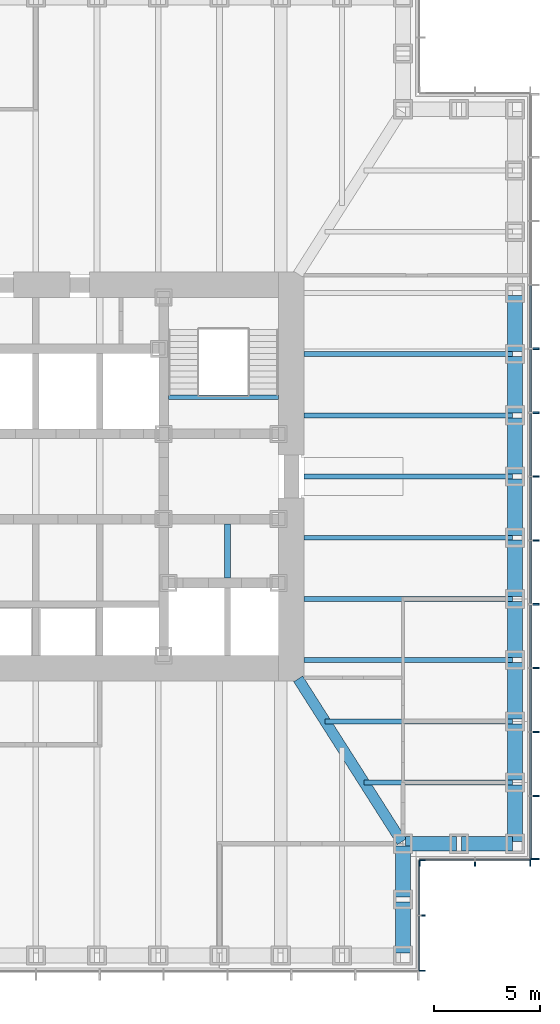
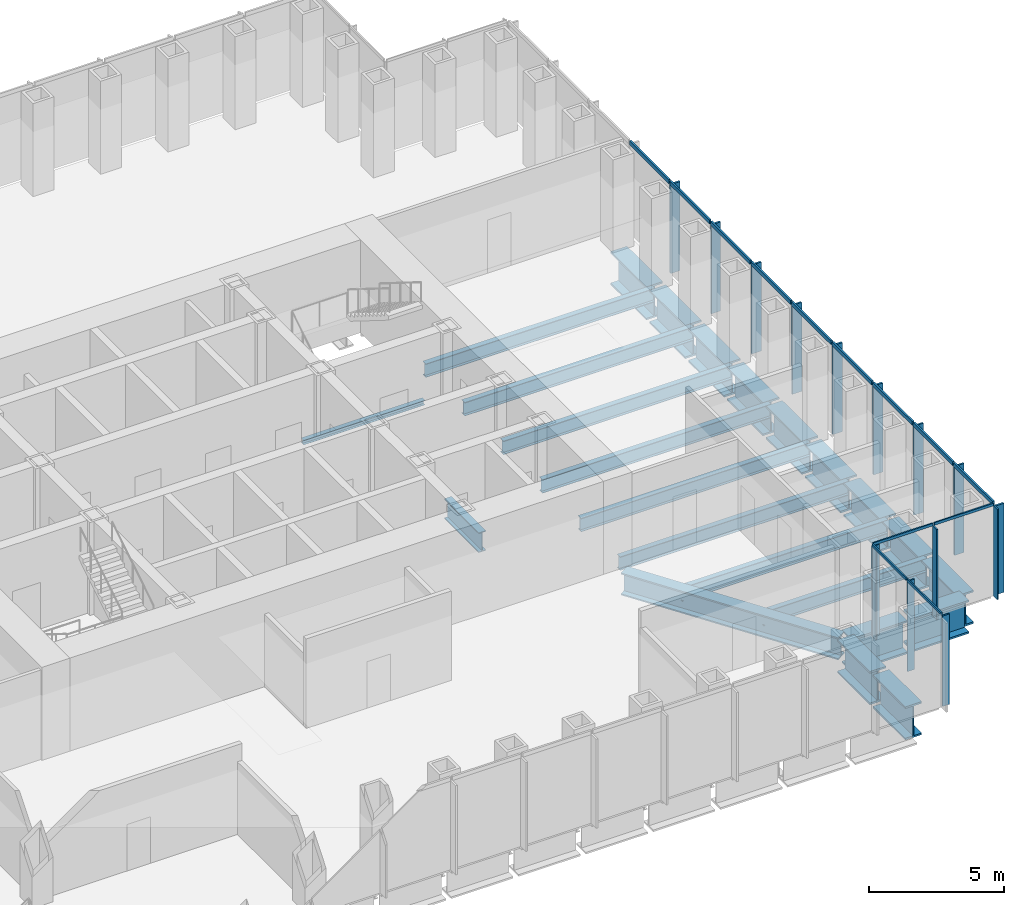
# One storey, part 4 of 16: 28 members, 24 beams, 3 elements without a shape of their own.
"""IFC4 building model written with IfcOpenShell, lengths in metres."""

from ifc_helpers import new_model, si_unit, direction, frame, origin, origin_2d, place, context, subcontext, project, spatial, rectangle, i_section, extrude, material, material_profile, profile_set, type_object, element, aggregate, save


model = new_model("IFC4")

# Units and contexts
model_context = context("Model", 3, precision=1e-05, world=origin(), true_north=direction((0.0, 1.0)))
body_context = subcontext(model_context, "Body", "Model", "MODEL_VIEW")
ifc_project = project(units=[si_unit("LENGTHUNIT", "METRE"), si_unit("AREAUNIT", "SQUARE_METRE"), si_unit("VOLUMEUNIT", "CUBIC_METRE"), si_unit("PLANEANGLEUNIT", "RADIAN"), si_unit("MASSUNIT", "GRAM", prefix="KILO")], contexts=[model_context])

# Site, building, storey
site_placement = place(None, origin())
site = spatial("IfcSite", under=ifc_project, at=site_placement, CompositionType="ELEMENT")
building_placement = place(site_placement, origin())
building = spatial("IfcBuilding", under=site, at=building_placement, Name="Daluyong Arena Tower", CompositionType="ELEMENT")
storey_placement = place(building_placement, frame((0.0, 0.0, 141.699951171875)))
storey = spatial("IfcBuildingStorey", under=building, at=storey_placement, Name="L31", CompositionType="ELEMENT", Elevation=141.699951171875)

# Curtain wall, members
ifc_material_1 = material(Name="Bronze anodised aluminium and glass", Category="aluminium")
curtain_wall_type_1 = type_object("IfcCurtainWallType", Name="Curtain wall CW2", PredefinedType="USERDEFINED", material=ifc_material_1)
curtain_wall_1_placement = place(storey_placement, origin())
curtain_wall_1 = element("IfcCurtainWall", 1, at=curtain_wall_1_placement, inside=storey, type_object=curtain_wall_type_1, Name="curtain wall L31 E", ObjectType="UNITISED CURTAIN WALL", PredefinedType="USERDEFINED")
ifc_material_2 = material(Name="Bronze anodised aluminium fin", Category="aluminium")
ifc_material_profile_1 = material_profile(ifc_material_2, rectangle(XDim=0.39990234375, YDim=0.080078125, at=origin_2d()))
ifc_profile_set_1 = profile_set([ifc_material_profile_1], Name="Bronze anodised aluminium fin")
member_type_1 = type_object("IfcMemberType", Name="CW2 bronze fin 400x80", PredefinedType="MULLION", material=ifc_profile_set_1)
member_1_placement = place(storey_placement, frame((79.449951171875, 62.0400390625, 0.0), z_axis=(0.0, 0.0, 1.0), x_axis=(-1.0, 0.0, 0.0)))
member_1 = element("IfcMember", 2, at=member_1_placement, type_object=member_type_1, Name="curtain wall L31 E fin 1", PredefinedType="MULLION", context=body_context, shape_type="SweptSolid", body=[
    extrude(rectangle(XDim=0.39990234375, YDim=0.080078125, at=origin_2d()), origin(), (0.0, 0.0, 1.0), 4.02001953125),
])
member_2_placement = place(storey_placement, frame((79.449951171875, 65.0, 0.0), z_axis=(0.0, 0.0, 1.0), x_axis=(-1.0, 0.0, 0.0)))
member_2 = element("IfcMember", 3, at=member_2_placement, type_object=member_type_1, Name="curtain wall L31 E fin 2", PredefinedType="MULLION", context=body_context, shape_type="SweptSolid", body=[
    extrude(rectangle(XDim=0.39990234375, YDim=0.080078125, at=origin_2d()), origin(), (0.0, 0.0, 1.0), 4.02001953125),
])
member_3_placement = place(storey_placement, frame((79.449951171875, 68.0, 0.0), z_axis=(0.0, 0.0, 1.0), x_axis=(-1.0, 0.0, 0.0)))
member_3 = element("IfcMember", 4, at=member_3_placement, type_object=member_type_1, Name="curtain wall L31 E fin 3", PredefinedType="MULLION", context=body_context, shape_type="SweptSolid", body=[
    extrude(rectangle(XDim=0.39990234375, YDim=0.080078125, at=origin_2d()), origin(), (0.0, 0.0, 1.0), 4.02001953125),
])
member_4_placement = place(storey_placement, frame((79.449951171875, 71.0, 0.0), z_axis=(0.0, 0.0, 1.0), x_axis=(-1.0, 0.0, 0.0)))
member_4 = element("IfcMember", 5, at=member_4_placement, type_object=member_type_1, Name="curtain wall L31 E fin 4", PredefinedType="MULLION", context=body_context, shape_type="SweptSolid", body=[
    extrude(rectangle(XDim=0.39990234375, YDim=0.080078125, at=origin_2d()), origin(), (0.0, 0.0, 1.0), 4.02001953125),
])
member_5_placement = place(storey_placement, frame((79.449951171875, 74.0, 0.0), z_axis=(0.0, 0.0, 1.0), x_axis=(-1.0, 0.0, 0.0)))
member_5 = element("IfcMember", 6, at=member_5_placement, type_object=member_type_1, Name="curtain wall L31 E fin 5", PredefinedType="MULLION", context=body_context, shape_type="SweptSolid", body=[
    extrude(rectangle(XDim=0.39990234375, YDim=0.080078125, at=origin_2d()), origin(), (0.0, 0.0, 1.0), 4.02001953125),
])
member_6_placement = place(storey_placement, frame((79.449951171875, 77.0, 0.0), z_axis=(0.0, 0.0, 1.0), x_axis=(-1.0, 0.0, 0.0)))
member_6 = element("IfcMember", 7, at=member_6_placement, type_object=member_type_1, Name="curtain wall L31 E fin 6", PredefinedType="MULLION", context=body_context, shape_type="SweptSolid", body=[
    extrude(rectangle(XDim=0.39990234375, YDim=0.080078125, at=origin_2d()), origin(), (0.0, 0.0, 1.0), 4.02001953125),
])
member_7_placement = place(storey_placement, frame((79.449951171875, 80.0, 0.0), z_axis=(0.0, 0.0, 1.0), x_axis=(-1.0, 0.0, 0.0)))
member_7 = element("IfcMember", 8, at=member_7_placement, type_object=member_type_1, Name="curtain wall L31 E fin 7", PredefinedType="MULLION", context=body_context, shape_type="SweptSolid", body=[
    extrude(rectangle(XDim=0.39990234375, YDim=0.080078125, at=origin_2d()), origin(), (0.0, 0.0, 1.0), 4.02001953125),
])
member_8_placement = place(storey_placement, frame((79.449951171875, 83.0, 0.0), z_axis=(0.0, 0.0, 1.0), x_axis=(-1.0, 0.0, 0.0)))
member_8 = element("IfcMember", 9, at=member_8_placement, type_object=member_type_1, Name="curtain wall L31 E fin 8", PredefinedType="MULLION", context=body_context, shape_type="SweptSolid", body=[
    extrude(rectangle(XDim=0.39990234375, YDim=0.080078125, at=origin_2d()), origin(), (0.0, 0.0, 1.0), 4.02001953125),
])
member_9_placement = place(storey_placement, frame((79.449951171875, 86.0, 0.0), z_axis=(0.0, 0.0, 1.0), x_axis=(-1.0, 0.0, 0.0)))
member_9 = element("IfcMember", 10, at=member_9_placement, type_object=member_type_1, Name="curtain wall L31 E fin 9", PredefinedType="MULLION", context=body_context, shape_type="SweptSolid", body=[
    extrude(rectangle(XDim=0.39990234375, YDim=0.080078125, at=origin_2d()), origin(), (0.0, 0.0, 1.0), 4.02001953125),
])
ifc_material_3 = material(Name="Bronze anodised aluminium", Category="aluminium")
ifc_material_profile_2 = material_profile(ifc_material_3, rectangle(XDim=0.080078125, YDim=0.179931640625, at=origin_2d()))
ifc_profile_set_2 = profile_set([ifc_material_profile_2], Name="Bronze anodised aluminium")
member_type_2 = type_object("IfcMemberType", Name="CW2 stack transom 180x80", PredefinedType="USERDEFINED", material=ifc_profile_set_2)
member_10_placement = place(storey_placement, frame((79.25, 62.080078125, 4.110107421875), z_axis=(0.0, 1.0, 0.0), x_axis=(-1.0, 0.0, 0.0)))
member_10 = element("IfcMember", 11, at=member_10_placement, type_object=member_type_2, Name="curtain wall L31 E transom 1", ObjectType="TRANSOM", PredefinedType="USERDEFINED", context=body_context, shape_type="SweptSolid", body=[
    extrude(rectangle(XDim=0.080078125, YDim=0.179931640625, at=origin_2d()), origin(), (0.0, 0.0, 1.0), 2.8798828125),
])
member_11_placement = place(storey_placement, frame((79.25, 65.0400390625, 4.110107421875), z_axis=(0.0, 1.0, 0.0), x_axis=(-1.0, 0.0, 0.0)))
member_11 = element("IfcMember", 12, at=member_11_placement, type_object=member_type_2, Name="curtain wall L31 E transom 2", ObjectType="TRANSOM", PredefinedType="USERDEFINED", context=body_context, shape_type="SweptSolid", body=[
    extrude(rectangle(XDim=0.080078125, YDim=0.179931640625, at=origin_2d()), origin(), (0.0, 0.0, 1.0), 2.919921875),
])
member_12_placement = place(storey_placement, frame((79.25, 68.0400390625, 4.110107421875), z_axis=(0.0, 1.0, 0.0), x_axis=(-1.0, 0.0, 0.0)))
member_12 = element("IfcMember", 13, at=member_12_placement, type_object=member_type_2, Name="curtain wall L31 E transom 3", ObjectType="TRANSOM", PredefinedType="USERDEFINED", context=body_context, shape_type="SweptSolid", body=[
    extrude(rectangle(XDim=0.080078125, YDim=0.179931640625, at=origin_2d()), origin(), (0.0, 0.0, 1.0), 2.919921875),
])
member_13_placement = place(storey_placement, frame((79.25, 71.0400390625, 4.110107421875), z_axis=(0.0, 1.0, 0.0), x_axis=(-1.0, 0.0, 0.0)))
member_13 = element("IfcMember", 14, at=member_13_placement, type_object=member_type_2, Name="curtain wall L31 E transom 4", ObjectType="TRANSOM", PredefinedType="USERDEFINED", context=body_context, shape_type="SweptSolid", body=[
    extrude(rectangle(XDim=0.080078125, YDim=0.179931640625, at=origin_2d()), origin(), (0.0, 0.0, 1.0), 2.919921875),
])
member_14_placement = place(storey_placement, frame((79.25, 74.0400390625, 4.110107421875), z_axis=(0.0, 1.0, 0.0), x_axis=(-1.0, 0.0, 0.0)))
member_14 = element("IfcMember", 15, at=member_14_placement, type_object=member_type_2, Name="curtain wall L31 E transom 5", ObjectType="TRANSOM", PredefinedType="USERDEFINED", context=body_context, shape_type="SweptSolid", body=[
    extrude(rectangle(XDim=0.080078125, YDim=0.179931640625, at=origin_2d()), origin(), (0.0, 0.0, 1.0), 2.919921875),
])
member_15_placement = place(storey_placement, frame((79.25, 77.0400390625, 4.110107421875), z_axis=(0.0, 1.0, 0.0), x_axis=(-1.0, 0.0, 0.0)))
member_15 = element("IfcMember", 16, at=member_15_placement, type_object=member_type_2, Name="curtain wall L31 E transom 6", ObjectType="TRANSOM", PredefinedType="USERDEFINED", context=body_context, shape_type="SweptSolid", body=[
    extrude(rectangle(XDim=0.080078125, YDim=0.179931640625, at=origin_2d()), origin(), (0.0, 0.0, 1.0), 2.919921875),
])
member_16_placement = place(storey_placement, frame((79.25, 80.0400390625, 4.110107421875), z_axis=(0.0, 1.0, 0.0), x_axis=(-1.0, 0.0, 0.0)))
member_16 = element("IfcMember", 17, at=member_16_placement, type_object=member_type_2, Name="curtain wall L31 E transom 7", ObjectType="TRANSOM", PredefinedType="USERDEFINED", context=body_context, shape_type="SweptSolid", body=[
    extrude(rectangle(XDim=0.080078125, YDim=0.179931640625, at=origin_2d()), origin(), (0.0, 0.0, 1.0), 2.919921875),
])
member_17_placement = place(storey_placement, frame((79.25, 83.0400390625, 4.110107421875), z_axis=(0.0, 1.0, 0.0), x_axis=(-1.0, 0.0, 0.0)))
member_17 = element("IfcMember", 18, at=member_17_placement, type_object=member_type_2, Name="curtain wall L31 E transom 8", ObjectType="TRANSOM", PredefinedType="USERDEFINED", context=body_context, shape_type="SweptSolid", body=[
    extrude(rectangle(XDim=0.080078125, YDim=0.179931640625, at=origin_2d()), origin(), (0.0, 0.0, 1.0), 2.919921875),
])
member_18_placement = place(storey_placement, frame((79.25, 86.0400390625, 4.110107421875), z_axis=(0.0, 1.0, 0.0), x_axis=(-1.0, 0.0, 0.0)))
member_18 = element("IfcMember", 19, at=member_18_placement, type_object=member_type_2, Name="curtain wall L31 E transom 9", ObjectType="TRANSOM", PredefinedType="USERDEFINED", context=body_context, shape_type="SweptSolid", body=[
    extrude(rectangle(XDim=0.080078125, YDim=0.179931640625, at=origin_2d()), origin(), (0.0, 0.0, 1.0), 2.919921875),
])
aggregate(curtain_wall_1, [member_1, member_2, member_3, member_4, member_5, member_6, member_7, member_8, member_9, member_10, member_11, member_12, member_13, member_14, member_15, member_16, member_17, member_18])

ifc_material_4 = material(Name="Bronze anodised aluminium and glass", Category="aluminium")
curtain_wall_type_2 = type_object("IfcCurtainWallType", Name="Curtain wall CW7", PredefinedType="USERDEFINED", material=ifc_material_4)
curtain_wall_2_placement = place(storey_placement, origin())
curtain_wall_2 = element("IfcCurtainWall", 20, at=curtain_wall_2_placement, inside=storey, type_object=curtain_wall_type_2, Name="curtain wall L31 SE-E", ObjectType="UNITISED CURTAIN WALL", PredefinedType="USERDEFINED")
ifc_material_5 = material(Name="Bronze anodised aluminium fin", Category="aluminium")
ifc_material_profile_3 = material_profile(ifc_material_5, rectangle(XDim=0.300048828125, YDim=0.06005859375, at=origin_2d()))
ifc_profile_set_3 = profile_set([ifc_material_profile_3], Name="Bronze anodised aluminium fin")
member_type_3 = type_object("IfcMemberType", Name="CW7 bronze fin 300x60", PredefinedType="MULLION", material=ifc_profile_set_3)
member_19_placement = place(storey_placement, frame((74.14990234375, 56.780029296875, 0.0), z_axis=(0.0, 0.0, 1.0), x_axis=(-1.0, 0.0, 0.0)))
member_19 = element("IfcMember", 21, at=member_19_placement, type_object=member_type_3, Name="curtain wall L31 SE-E fin 1", PredefinedType="MULLION", context=body_context, shape_type="SweptSolid", body=[
    extrude(rectangle(XDim=0.300048828125, YDim=0.06005859375, at=origin_2d()), origin(), (0.0, 0.0, 1.0), 4.080078125),
])
member_20_placement = place(storey_placement, frame((74.14990234375, 59.375, 0.0), z_axis=(0.0, 0.0, 1.0), x_axis=(-1.0, 0.0, 0.0)))
member_20 = element("IfcMember", 22, at=member_20_placement, type_object=member_type_3, Name="curtain wall L31 SE-E fin 2", PredefinedType="MULLION", context=body_context, shape_type="SweptSolid", body=[
    extrude(rectangle(XDim=0.300048828125, YDim=0.06005859375, at=origin_2d()), origin(), (0.0, 0.0, 1.0), 4.080078125),
])
member_21_placement = place(storey_placement, frame((74.14990234375, 61.969970703125, 0.0), z_axis=(0.0, 0.0, 1.0), x_axis=(-1.0, 0.0, 0.0)))
member_21 = element("IfcMember", 23, at=member_21_placement, type_object=member_type_3, Name="curtain wall L31 SE-E fin 3", PredefinedType="MULLION", context=body_context, shape_type="SweptSolid", body=[
    extrude(rectangle(XDim=0.300048828125, YDim=0.06005859375, at=origin_2d()), origin(), (0.0, 0.0, 1.0), 4.080078125),
])

curtain_wall_3_placement = place(storey_placement, origin())
curtain_wall_3 = element("IfcCurtainWall", 24, at=curtain_wall_3_placement, inside=storey, type_object=curtain_wall_type_2, Name="curtain wall L31 SE-S", ObjectType="UNITISED CURTAIN WALL", PredefinedType="USERDEFINED")
member_22_placement = place(storey_placement, frame((74.030029296875, 61.85009765625, 0.0), z_axis=(0.0, 0.0, 1.0), x_axis=(0.0, 1.0, 0.0)))
member_22 = element("IfcMember", 25, at=member_22_placement, type_object=member_type_3, Name="curtain wall L31 SE-S fin 1", PredefinedType="MULLION", context=body_context, shape_type="SweptSolid", body=[
    extrude(rectangle(XDim=0.300048828125, YDim=0.06005859375, at=origin_2d()), origin(), (0.0, 0.0, 1.0), 4.080078125),
])
member_23_placement = place(storey_placement, frame((76.625, 61.85009765625, 0.0), z_axis=(0.0, 0.0, 1.0), x_axis=(0.0, 1.0, 0.0)))
member_23 = element("IfcMember", 26, at=member_23_placement, type_object=member_type_3, Name="curtain wall L31 SE-S fin 2", PredefinedType="MULLION", context=body_context, shape_type="SweptSolid", body=[
    extrude(rectangle(XDim=0.300048828125, YDim=0.06005859375, at=origin_2d()), origin(), (0.0, 0.0, 1.0), 4.080078125),
])
member_24_placement = place(storey_placement, frame((79.219970703125, 61.85009765625, 0.0), z_axis=(0.0, 0.0, 1.0), x_axis=(0.0, 1.0, 0.0)))
member_24 = element("IfcMember", 27, at=member_24_placement, type_object=member_type_3, Name="curtain wall L31 SE-S fin 3", PredefinedType="MULLION", context=body_context, shape_type="SweptSolid", body=[
    extrude(rectangle(XDim=0.300048828125, YDim=0.06005859375, at=origin_2d()), origin(), (0.0, 0.0, 1.0), 4.080078125),
])

# Member
ifc_material_6 = material(Name="Bronze anodised aluminium", Category="aluminium")
ifc_material_profile_4 = material_profile(ifc_material_6, rectangle(XDim=0.06005859375, YDim=0.1201171875, at=origin_2d()))
ifc_profile_set_4 = profile_set([ifc_material_profile_4], Name="Bronze anodised aluminium")
member_type_4 = type_object("IfcMemberType", Name="CW7 stack transom 120x60", PredefinedType="USERDEFINED", material=ifc_profile_set_4)
member_25_placement = place(storey_placement, frame((74.0, 56.81005859375, 4.14013671875), z_axis=(0.0, 1.0, 0.0), x_axis=(-1.0, 0.0, 0.0)))
member_25 = element("IfcMember", 28, at=member_25_placement, type_object=member_type_4, Name="curtain wall L31 SE-E transom 1", ObjectType="TRANSOM", PredefinedType="USERDEFINED", context=body_context, shape_type="SweptSolid", body=[
    extrude(rectangle(XDim=0.06005859375, YDim=0.1201171875, at=origin_2d()), origin(), (0.0, 0.0, 1.0), 2.534912109375),
])

member_26_placement = place(storey_placement, frame((74.0, 59.405029296875, 4.14013671875), z_axis=(0.0, 1.0, 0.0), x_axis=(-1.0, 0.0, 0.0)))
member_26 = element("IfcMember", 29, at=member_26_placement, type_object=member_type_4, Name="curtain wall L31 SE-E transom 2", ObjectType="TRANSOM", PredefinedType="USERDEFINED", context=body_context, shape_type="SweptSolid", body=[
    extrude(rectangle(XDim=0.06005859375, YDim=0.1201171875, at=origin_2d()), origin(), (0.0, 0.0, 1.0), 2.534912109375),
])

aggregate(curtain_wall_2, [member_19, member_20, member_21, member_25, member_26])

member_27_placement = place(storey_placement, frame((74.06005859375, 62.0, 4.14013671875), z_axis=(1.0, 0.0, 0.0), x_axis=(0.0, 1.0, 0.0)))
member_27 = element("IfcMember", 30, at=member_27_placement, type_object=member_type_4, Name="curtain wall L31 SE-S transom 1", ObjectType="TRANSOM", PredefinedType="USERDEFINED", context=body_context, shape_type="SweptSolid", body=[
    extrude(rectangle(XDim=0.06005859375, YDim=0.1201171875, at=origin_2d()), origin(), (0.0, 0.0, 1.0), 2.534912109375),
])

member_28_placement = place(storey_placement, frame((76.655029296875, 62.0, 4.14013671875), z_axis=(1.0, 0.0, 0.0), x_axis=(0.0, 1.0, 0.0)))
member_28 = element("IfcMember", 31, at=member_28_placement, type_object=member_type_4, Name="curtain wall L31 SE-S transom 2", ObjectType="TRANSOM", PredefinedType="USERDEFINED", context=body_context, shape_type="SweptSolid", body=[
    extrude(rectangle(XDim=0.06005859375, YDim=0.1201171875, at=origin_2d()), origin(), (0.0, 0.0, 1.0), 2.534912109375),
])

aggregate(curtain_wall_3, [member_22, member_23, member_24, member_27, member_28])

# Beams
ifc_material_7 = material(Name="Steel ASTM A572 Grade 50", Category="steel")
ifc_material_profile_5 = material_profile(ifc_material_7, i_section(OverallWidth=0.5, OverallDepth=1.0, WebThickness=0.03, FlangeThickness=0.06, at=origin_2d()))
ifc_profile_set_5 = profile_set([ifc_material_profile_5], Name="Steel ASTM A572 Grade 50")
beam_type_1 = type_object("IfcBeamType", Name="Corner girder TB1000X500", PredefinedType="BEAM", material=ifc_profile_set_5)
beam_1_placement = place(storey_placement, frame((73.188232421875, 62.846923828125, -0.659912109375), z_axis=(-0.536872006459, 0.843663705916, 0.0), x_axis=(-0.843663705916, -0.536872006459, 0.0)))
element("IfcBeam", 32, at=beam_1_placement, inside=storey, type_object=beam_type_1, Name="corner girder DG2", PredefinedType="BEAM", context=body_context, shape_type="SweptSolid", body=[
    extrude(i_section(OverallWidth=0.5, OverallDepth=1.0, WebThickness=0.03, FlangeThickness=0.06, at=origin_2d()), origin(), (0.0, 0.0, 1.0), 9.06396484375),
])
ifc_material_8 = material(Name="Steel ASTM A992 Grade 50", Category="steel")
ifc_material_profile_6 = material_profile(ifc_material_8, i_section(OverallWidth=0.22900390625, OverallDepth=0.612060546875, WebThickness=0.011962890625, FlangeThickness=0.01953125, at=origin_2d()))
ifc_profile_set_6 = profile_set([ifc_material_profile_6], Name="Steel ASTM A992 Grade 50")
beam_type_2 = type_object("IfcBeamType", Name="Floor beam W24X84", PredefinedType="BEAM", material=ifc_profile_set_6)
beam_2_placement = place(storey_placement, frame((78.385009765625, 65.625, -0.466064453125), z_axis=(-1.0, 0.0, 0.0), x_axis=(0.0, -1.0, 0.0)))
element("IfcBeam", 33, at=beam_2_placement, inside=storey, type_object=beam_type_2, Name="floor beam FB3", PredefinedType="BEAM", context=body_context, shape_type="SweptSolid", body=[
    extrude(i_section(OverallWidth=0.22900390625, OverallDepth=0.612060546875, WebThickness=0.011962890625, FlangeThickness=0.01953125, at=origin_2d()), origin(), (0.0, 0.0, 1.0), 6.964599609375),
])
beam_3_placement = place(storey_placement, frame((78.385009765625, 68.5, -0.466064453125), z_axis=(-1.0, 0.0, 0.0), x_axis=(0.0, -1.0, 0.0)))
element("IfcBeam", 34, at=beam_3_placement, inside=storey, type_object=beam_type_2, Name="floor beam FB3", PredefinedType="BEAM", context=body_context, shape_type="SweptSolid", body=[
    extrude(i_section(OverallWidth=0.22900390625, OverallDepth=0.612060546875, WebThickness=0.011962890625, FlangeThickness=0.01953125, at=origin_2d()), origin(), (0.0, 0.0, 1.0), 8.794189453125),
])
for number, where, z_axis, x_axis, name in (
    (35, (78.385009765625, 71.375, -0.466064453125), (-1.0, 0.0, 0.0), (0.0, -1.0, 0.0), "floor beam FB3"),
    (36, (78.385009765625, 74.25, -0.466064453125), (-1.0, 0.0, 0.0), (0.0, -1.0, 0.0), "floor beam FB3"),
    (37, (78.385009765625, 77.125, -0.466064453125), (-1.0, 0.0, 0.0), (0.0, -1.0, 0.0), "floor beam FB3"),
    (38, (78.385009765625, 80.0, -0.466064453125), (-1.0, 0.0, 0.0), (0.0, -1.0, 0.0), "floor beam FB3"),
    (39, (78.385009765625, 82.875, -0.466064453125), (-1.0, 0.0, 0.0), (0.0, -1.0, 0.0), "floor beam FB3"),
    (40, (78.385009765625, 85.75, -0.466064453125), (-1.0, 0.0, 0.0), (0.0, -1.0, 0.0), "floor beam FB3"),
):
    element("IfcBeam", number, at=place(storey_placement, frame(where, z_axis=z_axis, x_axis=x_axis)), inside=storey, type_object=beam_type_2, Name=name, PredefinedType="BEAM", context=body_context, shape_type="SweptSolid", body=[
        extrude(i_section(OverallWidth=0.22900390625, OverallDepth=0.612060546875, WebThickness=0.011962890625, FlangeThickness=0.01953125, at=origin_2d()), origin(), (0.0, 0.0, 1.0), 9.784912109375),
    ])
ifc_material_9 = material(Name="Steel ASTM A572 Grade 50", Category="steel")
ifc_material_profile_7 = material_profile(ifc_material_9, i_section(OverallWidth=0.300048828125, OverallDepth=0.89990234375, WebThickness=0.025, FlangeThickness=0.04, at=origin_2d()))
ifc_profile_set_7 = profile_set([ifc_material_profile_7], Name="Steel ASTM A572 Grade 50")
beam_type_3 = type_object("IfcBeamType", Name="Lift divider beam PG900X300", PredefinedType="BEAM", material=ifc_profile_set_7)
beam_4_placement = place(storey_placement, frame((65.0, 75.22509765625, -0.60986328125), z_axis=(0.0, 1.0, 0.0), x_axis=(-1.0, 0.0, 0.0)))
element("IfcBeam", 41, at=beam_4_placement, inside=storey, type_object=beam_type_3, Name="lift divider beam DB1", PredefinedType="BEAM", context=body_context, shape_type="SweptSolid", body=[
    extrude(i_section(OverallWidth=0.300048828125, OverallDepth=0.89990234375, WebThickness=0.025, FlangeThickness=0.04, at=origin_2d()), origin(), (0.0, 0.0, 1.0), 2.5498046875),
])
ifc_material_10 = material(Name="Steel ASTM A572 Grade 50", Category="steel")
ifc_material_profile_8 = material_profile(ifc_material_10, i_section(OverallWidth=0.699951171875, OverallDepth=1.5, WebThickness=0.04, FlangeThickness=0.08, at=origin_2d()))
ifc_profile_set_8 = profile_set([ifc_material_profile_8], Name="Steel ASTM A572 Grade 50")
beam_type_4 = type_object("IfcBeamType", Name="Spandrel Z2 PG1500X700", PredefinedType="SPANDREL", material=ifc_profile_set_8)
for number, where, z_axis, x_axis, name in (
    (42, (73.25, 57.614990234375, -0.909912109375), (0.0, 1.0, 0.0), (-1.0, 0.0, 0.0), "spandrel z2 SB6"),
    (43, (73.25, 60.239990234375, -0.909912109375), (0.0, 1.0, 0.0), (-1.0, 0.0, 0.0), "spandrel z2 SB6"),
    (44, (73.364990234375, 62.75, -0.909912109375), (1.0, 0.0, 0.0), (0.0, 1.0, 0.0), "spandrel z2 SB6"),
    (45, (75.989990234375, 62.75, -0.909912109375), (1.0, 0.0, 0.0), (0.0, 1.0, 0.0), "spandrel z2 SB6"),
):
    element("IfcBeam", number, at=place(storey_placement, frame(where, z_axis=z_axis, x_axis=x_axis)), inside=storey, type_object=beam_type_4, Name=name, PredefinedType="SPANDREL", context=body_context, shape_type="SweptSolid", body=[
        extrude(i_section(OverallWidth=0.699951171875, OverallDepth=1.5, WebThickness=0.04, FlangeThickness=0.08, at=origin_2d()), origin(), (0.0, 0.0, 1.0), 2.39501953125),
    ])
for number, where, z_axis, x_axis, name in (
    (46, (78.5, 62.864990234375, -0.909912109375), (0.0, 1.0, 0.0), (-1.0, 0.0, 0.0), "spandrel z2 SB6"),
    (47, (78.5, 65.739990234375, -0.909912109375), (0.0, 1.0, 0.0), (-1.0, 0.0, 0.0), "spandrel z2 SB6"),
    (48, (78.5, 68.614990234375, -0.909912109375), (0.0, 1.0, 0.0), (-1.0, 0.0, 0.0), "spandrel z2 SB6"),
    (49, (78.5, 71.489990234375, -0.909912109375), (0.0, 1.0, 0.0), (-1.0, 0.0, 0.0), "spandrel z2 SB6"),
    (50, (78.5, 74.364990234375, -0.909912109375), (0.0, 1.0, 0.0), (-1.0, 0.0, 0.0), "spandrel z2 SB6"),
    (51, (78.5, 77.239990234375, -0.909912109375), (0.0, 1.0, 0.0), (-1.0, 0.0, 0.0), "spandrel z2 SB6"),
    (52, (78.5, 80.114990234375, -0.909912109375), (0.0, 1.0, 0.0), (-1.0, 0.0, 0.0), "spandrel z2 SB6"),
    (53, (78.5, 82.989990234375, -0.909912109375), (0.0, 1.0, 0.0), (-1.0, 0.0, 0.0), "spandrel z2 SB6"),
    (54, (78.5, 85.864990234375, -0.909912109375), (0.0, 1.0, 0.0), (-1.0, 0.0, 0.0), "spandrel z2 SB6"),
):
    element("IfcBeam", number, at=place(storey_placement, frame(where, z_axis=z_axis, x_axis=x_axis)), inside=storey, type_object=beam_type_4, Name=name, PredefinedType="SPANDREL", context=body_context, shape_type="SweptSolid", body=[
        extrude(i_section(OverallWidth=0.699951171875, OverallDepth=1.5, WebThickness=0.04, FlangeThickness=0.08, at=origin_2d()), origin(), (0.0, 0.0, 1.0), 2.64501953125),
    ])
ifc_material_11 = material(Name="Steel ASTM A992 Grade 50", Category="steel")
ifc_material_profile_9 = material_profile(ifc_material_11, i_section(OverallWidth=0.203125, OverallDepth=0.203125, WebThickness=0.00732421875, FlangeThickness=0.010986328125, at=origin_2d()))
ifc_profile_set_9 = profile_set([ifc_material_profile_9], Name="Steel ASTM A992 Grade 50")
beam_type_5 = type_object("IfcBeamType", Name="Stair landing beam W8X31", PredefinedType="BEAM", material=ifc_profile_set_9)
beam_5_placement = place(storey_placement, frame((62.22509765625, 83.723388671875, -0.261474609375), z_axis=(1.0, 0.0, 0.0), x_axis=(0.0, 1.0, 0.0)))
element("IfcBeam", 55, at=beam_5_placement, inside=storey, type_object=beam_type_5, Name="exit stair B landing beam", PredefinedType="BEAM", context=body_context, shape_type="SweptSolid", body=[
    extrude(i_section(OverallWidth=0.203125, OverallDepth=0.203125, WebThickness=0.00732421875, FlangeThickness=0.010986328125, at=origin_2d()), origin(), (0.0, 0.0, 1.0), 5.1748046875),
])

save(model, "model.ifc")
